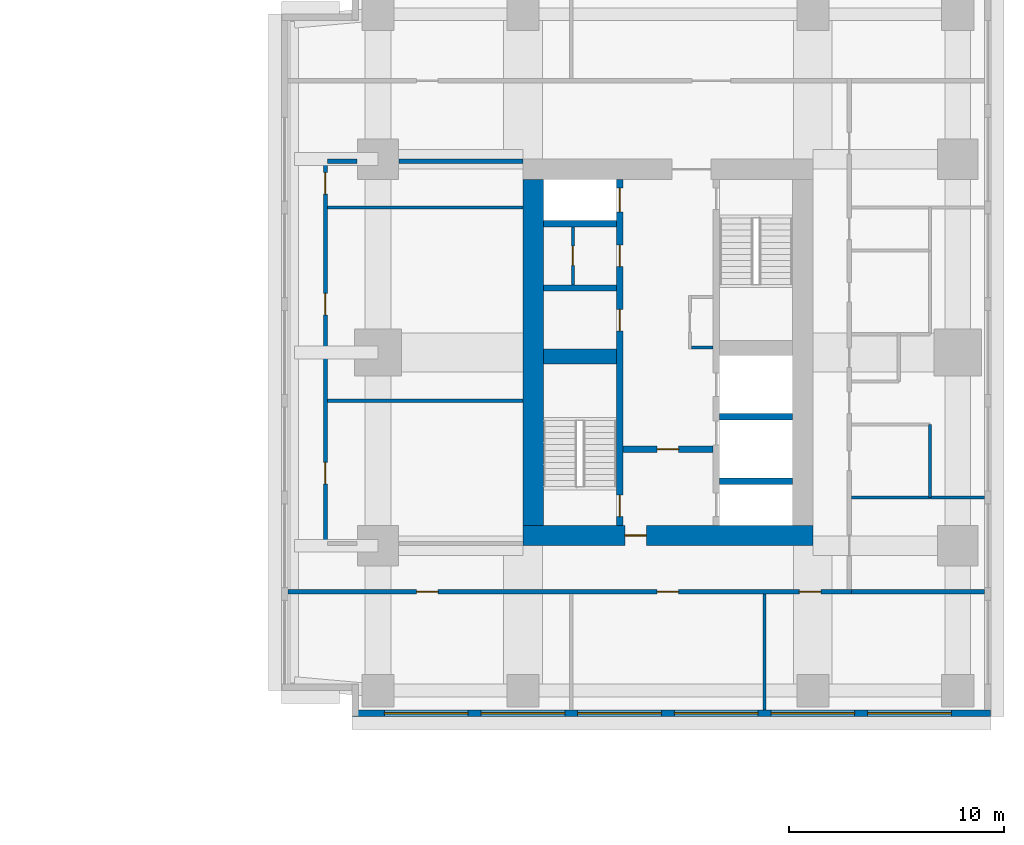
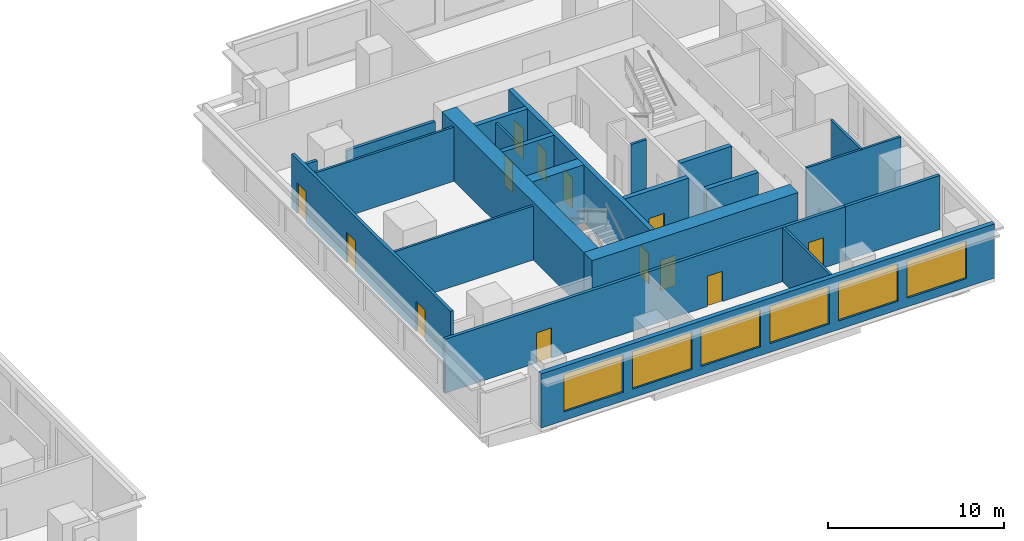
# One storey, part 6 of 10: 22 walls, 13 doors, 6 windows, 19 openings.
"""IFC4 building model written with IfcOpenShell, lengths in metres."""

import ifcopenshell
import ifcopenshell.guid

model = None  # the IFC model being written
_history = None  # IfcOwnerHistory: only IFC2X3 demands one
_inside = {}  # id of a spatial element -> (the spatial element, [elements in it])
_under = {}  # id of a project, library or spatial element -> (it, [spatial elements below it])
_declared = {}  # id of a project -> (the project, [libraries it declares])
_typed = {}  # id of a type object -> (the type object, [elements of that type])
_made_of = {}  # id of a material, layer set ... -> (it, [elements and type objects made of it])


def new_model(schema):
    """Start an empty IFC model of exactly this schema.

    Asked for "IFC4X3", IfcOpenShell would pick the latest addendum, in which some entities
    have other attributes; the version numbers below select the first issue.
    IFC2X3 requires an IfcOwnerHistory on every rooted entity: one is made here for all.
    """
    global model, _history
    if schema == "IFC4X3":
        model = ifcopenshell.file(schema_version=(4, 3, 0, 0))
    else:
        model = ifcopenshell.file(schema=schema)
    _inside.clear()
    _under.clear()
    _declared.clear()
    _typed.clear()
    _made_of.clear()
    _history = None
    if model.schema == "IFC2X3":
        org = make("IfcOrganization", Name="unknown")
        user = make(
            "IfcPersonAndOrganization",
            ThePerson=make("IfcPerson", FamilyName="unknown"),
            TheOrganization=org,
        )
        app = make(
            "IfcApplication",
            ApplicationDeveloper=org,
            Version="unknown",
            ApplicationFullName="unknown",
            ApplicationIdentifier="unknown",
        )
        _history = make(
            "IfcOwnerHistory",
            OwningUser=user,
            OwningApplication=app,
            ChangeAction="ADDED",
            CreationDate=0,
        )
    return model


def make(cls, **values):
    """One entity of the class cls with the attributes given. An attribute that is None is left unset."""
    return model.create_entity(
        cls, **{name: value for name, value in values.items() if value is not None}
    )


def rooted(cls, **values):
    """An entity with a GlobalId (a new one), such as an element, a storey or a relation."""
    return make(cls, GlobalId=ifcopenshell.guid.new(), OwnerHistory=_history, **values)


def si_unit(unit_type, name, prefix=None):
    """IfcSIUnit, for example si_unit("LENGTHUNIT", "METRE", prefix="MILLI")."""
    return make("IfcSIUnit", UnitType=unit_type, Prefix=prefix, Name=name)


def assignment(units):
    """IfcUnitAssignment: the units of a project."""
    return None if units is None else make("IfcUnitAssignment", Units=units)


def point(xyz):
    """IfcCartesianPoint."""
    return None if xyz is None else make("IfcCartesianPoint", Coordinates=xyz)


def direction(xyz):
    """IfcDirection."""
    return None if xyz is None else make("IfcDirection", DirectionRatios=xyz)


def frame(location, z_axis=None, x_axis=None):
    """IfcAxis2Placement3D, a coordinate frame: its origin and axes. An axis left out is left unset."""
    return make(
        "IfcAxis2Placement3D",
        Location=point(location),
        Axis=direction(z_axis),
        RefDirection=direction(x_axis),
    )


def frame_2d(location, x_axis=None):
    """IfcAxis2Placement2D, a coordinate frame in the plane: its origin and x axis."""
    return make(
        "IfcAxis2Placement2D", Location=point(location), RefDirection=direction(x_axis)
    )


def origin():
    """The frame at (0, 0, 0) with its axes left unset."""
    return frame((0.0, 0.0, 0.0))


def place(relative_to, where):
    """IfcLocalPlacement: puts the frame where relative to a parent placement (None: the world)."""
    return make(
        "IfcLocalPlacement", PlacementRelTo=relative_to, RelativePlacement=where
    )


def context(
    kind, dimensions, precision=None, world=None, true_north=None, identifier=None
):
    """IfcGeometricRepresentationContext, for example the 3D "Model" context."""
    return make(
        "IfcGeometricRepresentationContext",
        ContextIdentifier=identifier,
        ContextType=kind,
        CoordinateSpaceDimension=dimensions,
        Precision=precision,
        WorldCoordinateSystem=world,
        TrueNorth=true_north,
    )


def subcontext(parent, identifier, kind, view, scale=None):
    """IfcGeometricRepresentationSubContext, for example "Body" below "Model"."""
    return make(
        "IfcGeometricRepresentationSubContext",
        ContextIdentifier=identifier,
        ContextType=kind,
        ParentContext=parent,
        TargetScale=scale,
        TargetView=view,
    )


def project(units=None, contexts=None):
    """IfcProject with its units and contexts."""
    return rooted(
        "IfcProject",
        Name="project",
        RepresentationContexts=contexts,
        UnitsInContext=assignment(units),
    )


def spatial(cls, under=None, at=None, **own):
    """A site, building, storey or space (cls), placed at a placement, below another one or the project."""
    s = rooted(cls, ObjectPlacement=at, **own)
    if under is not None:
        _under.setdefault(under.id(), (under, []))[1].append(s)
    return s


def profile(cls, at=None, kind="AREA", **sizes):
    """A parametric profile (cls). Its sizes go by their IFC names, for example OverallWidth=200.0."""
    return make(cls, ProfileType=kind, Position=at, **sizes)


def rectangle(**sizes):
    """IfcRectangleProfileDef."""
    return profile("IfcRectangleProfileDef", **sizes)


def extrude(swept, where, along, depth):
    """IfcExtrudedAreaSolid: the profile swept, set in the frame where, extruded along a direction by depth."""
    return make(
        "IfcExtrudedAreaSolid",
        SweptArea=swept,
        Position=where,
        ExtrudedDirection=direction(along),
        Depth=depth,
    )


def shape(context_of_items, identifier, shape_type, items):
    """IfcShapeRepresentation: the items that make up one representation, for example the "Body"."""
    return make(
        "IfcShapeRepresentation",
        ContextOfItems=context_of_items,
        RepresentationIdentifier=identifier,
        RepresentationType=shape_type,
        Items=items,
    )


def material(Name=None, Category=None):
    """IfcMaterial."""
    return make("IfcMaterial", Name=Name, Category=Category)


def layer(
    of_material, thickness, ventilated=None, Name=None, Category=None, Priority=None
):
    """IfcMaterialLayer: one layer of a wall or slab, of a material (None: an air gap)."""
    return make(
        "IfcMaterialLayer",
        Material=of_material,
        LayerThickness=thickness,
        IsVentilated=ventilated,
        Name=Name,
        Category=Category,
        Priority=Priority,
    )


def layer_set(layers, Name=None):
    """IfcMaterialLayerSet."""
    return make("IfcMaterialLayerSet", MaterialLayers=layers, LayerSetName=Name)


def made_of(thing, what):
    """Note that an element or type object is made of a material, layer set ...; save() writes the relation."""
    if what is not None:
        _made_of.setdefault(what.id(), (what, []))[1].append(thing)
    return thing


def type_object(cls, material=None, **own):
    """A type object (cls), such as IfcWallType, which elements share."""
    return made_of(rooted(cls, **own), material)


def element(
    cls,
    number,
    at=None,
    inside=None,
    cuts=None,
    type_object=None,
    material=None,
    context=None,
    identifier="Body",
    shape_type=None,
    held_by="IfcProductDefinitionShape",
    body=None,
    shapes=None,
    **own,
):
    """One element of the class cls, such as IfcWall. Its Tag is "e" and its number.

    at: its placement. inside: the storey or other place that contains it. cuts: it is an
    opening in that element (IfcRelVoidsElement). A single representation is given by context,
    identifier, shape_type and body (its items); several are given by shapes. held_by: the class
    of the entity that holds the representations. save() writes the other relations.
    """
    e = rooted(cls, Tag="e%d" % number, ObjectPlacement=at, **own)
    if body is not None:
        shapes = [shape(context, identifier, shape_type, body)]
    if shapes is not None:
        e.Representation = make(held_by, Representations=shapes)
    if inside is not None:
        _inside.setdefault(inside.id(), (inside, []))[1].append(e)
    if cuts is not None:
        rooted(
            "IfcRelVoidsElement", RelatingBuildingElement=cuts, RelatedOpeningElement=e
        )
    if type_object is not None:
        _typed.setdefault(type_object.id(), (type_object, []))[1].append(e)
    return made_of(e, material)


def fill(opening, filler):
    """IfcRelFillsElement: the door or window that sits in an opening."""
    return rooted(
        "IfcRelFillsElement",
        RelatingOpeningElement=opening,
        RelatedBuildingElement=filler,
    )


def aggregate(whole, parts):
    """IfcRelAggregates: a whole, such as a stair, and the parts it consists of."""
    return rooted("IfcRelAggregates", RelatingObject=whole, RelatedObjects=parts)


def save(model, path):
    """Write the relations noted so far, then the file.

    IfcRelAggregates (storeys below a building ...), IfcRelContainedInSpatialStructure (elements
    in a storey), IfcRelDefinesByType, IfcRelAssociatesMaterial and IfcRelDeclares: one each for
    every whole, place, type object, material and project.
    """
    for whole, parts in _under.values():
        aggregate(whole, parts)
    for where, things in _inside.values():
        rooted(
            "IfcRelContainedInSpatialStructure",
            RelatedElements=things,
            RelatingStructure=where,
        )
    for kind, things in _typed.values():
        rooted("IfcRelDefinesByType", RelatedObjects=things, RelatingType=kind)
    for what, things in _made_of.values():
        rooted("IfcRelAssociatesMaterial", RelatedObjects=things, RelatingMaterial=what)
    for by, libraries in _declared.values():
        rooted("IfcRelDeclares", RelatingContext=by, RelatedDefinitions=libraries)
    model.write(path)


model = new_model("IFC4")

# Units and contexts
model_context = context("Model", 3, precision=1e-05, world=origin(), true_north=direction((0.0, 1.0)))
body_context = subcontext(model_context, "Body", "Model", "MODEL_VIEW")
ifc_project = project(units=[si_unit("LENGTHUNIT", "METRE"), si_unit("AREAUNIT", "SQUARE_METRE"), si_unit("VOLUMEUNIT", "CUBIC_METRE"), si_unit("PLANEANGLEUNIT", "RADIAN"), si_unit("MASSUNIT", "GRAM", prefix="KILO")], contexts=[model_context])

# Site, building, storey
site_placement = place(None, origin())
site = spatial("IfcSite", under=ifc_project, at=site_placement, CompositionType="ELEMENT")
building_placement = place(site_placement, origin())
building = spatial("IfcBuilding", under=site, at=building_placement, Name="Namib Vertical Campus", CompositionType="ELEMENT")
storey_placement = place(building_placement, frame((0.0, 0.0, 145.0)))
storey = spatial("IfcBuildingStorey", under=building, at=storey_placement, Name="L34", CompositionType="ELEMENT", Elevation=145.0)

# Wall, openings, doors
ifc_material_1 = material(Name="Concrete C60/75", Category="concrete")
ifc_layer_1 = layer(ifc_material_1, 0.300048828125)
ifc_layer_set_1 = layer_set([ifc_layer_1], Name="Concrete C60/75")
wall_type_1 = type_object("IfcWallType", Name="Core inner wall 300", PredefinedType="SHEAR", material=ifc_layer_set_1)
wall_1_placement = place(storey_placement, frame((78.75, 12.199951171875, 0.0), z_axis=(0.0, 0.0, 1.0), x_axis=(0.0, 1.0, 0.0)))
wall_1 = element("IfcWall", 1, at=wall_1_placement, inside=storey, type_object=wall_type_1, Name="Core inner wall B L34 W1", PredefinedType="SHEAR", context=body_context, shape_type="SweptSolid", body=[
    extrude(rectangle(XDim=16.10009765625, YDim=0.300048828125, at=frame_2d((8.050048828125, 0.0))), origin(), (0.0, 0.0, 1.0), 4.0),
])
opening_1_placement = place(wall_1_placement, frame((0.39990234375, 0.0, 0.0)))
opening_1 = element("IfcOpeningElement", 2, at=opening_1_placement, cuts=wall_1, Name="Opening FD1", PredefinedType="OPENING", context=body_context, shape_type="SweptSolid", body=[
    extrude(rectangle(XDim=1.0, YDim=2.10009765625, at=frame_2d((0.5, 1.050048828125))), frame((0.0, 0.159912109375, 0.0), z_axis=(0.0, -1.0, 0.0), x_axis=(1.0, 0.0, 0.0)), (0.0, 0.0, 1.0), 0.320068359375),
])
opening_2_placement = place(wall_1_placement, frame((14.60009765625, 0.0, 0.0)))
opening_2 = element("IfcOpeningElement", 3, at=opening_2_placement, cuts=wall_1, Name="Opening LD1", PredefinedType="OPENING", context=body_context, shape_type="SweptSolid", body=[
    extrude(rectangle(XDim=1.10009765625, YDim=2.10009765625, at=frame_2d((0.550048828125, 1.050048828125))), frame((0.0, 0.159912109375, 0.0), z_axis=(0.0, -1.0, 0.0), x_axis=(1.0, 0.0, 0.0)), (0.0, 0.0, 1.0), 0.320068359375),
])
opening_3_placement = place(wall_1_placement, frame((9.050048828125, 0.0, 0.0)))
opening_3 = element("IfcOpeningElement", 4, at=opening_3_placement, cuts=wall_1, Name="Opening D1", PredefinedType="OPENING", context=body_context, shape_type="SweptSolid", body=[
    extrude(rectangle(XDim=1.0, YDim=2.10009765625, at=frame_2d((0.5, 1.050048828125))), frame((0.0, 0.159912109375, 0.0), z_axis=(0.0, -1.0, 0.0), x_axis=(1.0, 0.0, 0.0)), (0.0, 0.0, 1.0), 0.320068359375),
])
opening_4_placement = place(wall_1_placement, frame((12.050048828125, 0.0, 0.0)))
opening_4 = element("IfcOpeningElement", 5, at=opening_4_placement, cuts=wall_1, Name="Opening D1", PredefinedType="OPENING", context=body_context, shape_type="SweptSolid", body=[
    extrude(rectangle(XDim=1.0, YDim=2.10009765625, at=frame_2d((0.5, 1.050048828125))), frame((0.0, 0.159912109375, 0.0), z_axis=(0.0, -1.0, 0.0), x_axis=(1.0, 0.0, 0.0)), (0.0, 0.0, 1.0), 0.320068359375),
])
ifc_material_2 = material(Name="Timber door leaf", Category="wood")
door_type_1 = type_object("IfcDoorType", Name="Door single 1000x2100", OperationType="SINGLE_SWING_LEFT", PredefinedType="DOOR", material=ifc_material_2)
door_1_placement = place(opening_3_placement, origin())
door_1 = element("IfcDoor", 6, at=door_1_placement, inside=storey, type_object=door_type_1, Name="Door D1 Comms room B L34 P1", OperationType="SINGLE_SWING_LEFT", OverallHeight=2.10009765625, OverallWidth=1.0, PredefinedType="DOOR", context=body_context, shape_type="SweptSolid", body=[
    extrude(rectangle(XDim=1.0, YDim=2.10009765625, at=frame_2d((0.5, 1.050048828125))), frame((0.0, 0.02490234375, 0.0), z_axis=(0.0, -1.0, 0.0), x_axis=(1.0, 0.0, 0.0)), (0.0, 0.0, 1.0), 0.050048828125),
])
fill(opening_3, door_1)
door_2_placement = place(opening_4_placement, origin())
door_2 = element("IfcDoor", 7, at=door_2_placement, inside=storey, type_object=door_type_1, Name="Door D1 Store B L34 P2", OperationType="SINGLE_SWING_LEFT", OverallHeight=2.10009765625, OverallWidth=1.0, PredefinedType="DOOR", context=body_context, shape_type="SweptSolid", body=[
    extrude(rectangle(XDim=1.0, YDim=2.10009765625, at=frame_2d((0.5, 1.050048828125))), frame((0.0, 0.02490234375, 0.0), z_axis=(0.0, -1.0, 0.0), x_axis=(1.0, 0.0, 0.0)), (0.0, 0.0, 1.0), 0.050048828125),
])
fill(opening_4, door_2)
ifc_material_3 = material(Name="Steel fire door", Category="steel")
door_type_2 = type_object("IfcDoorType", Name="Fire door 1000x2100", OperationType="SINGLE_SWING_RIGHT", PredefinedType="DOOR", material=ifc_material_3)
door_3_placement = place(opening_1_placement, origin())
door_3 = element("IfcDoor", 8, at=door_3_placement, inside=storey, type_object=door_type_2, Name="Stair door FD1 B L34 S1", OperationType="SINGLE_SWING_LEFT", OverallHeight=2.10009765625, OverallWidth=1.0, PredefinedType="DOOR", context=body_context, shape_type="SweptSolid", body=[
    extrude(rectangle(XDim=1.0, YDim=2.10009765625, at=frame_2d((0.5, 1.050048828125))), frame((0.0, 0.02490234375, 0.0), z_axis=(0.0, -1.0, 0.0), x_axis=(1.0, 0.0, 0.0)), (0.0, 0.0, 1.0), 0.050048828125),
])
fill(opening_1, door_3)
ifc_material_4 = material(Name="Stainless steel lift door", Category="steel")
door_type_3 = type_object("IfcDoorType", Name="Lift landing door 1100x2100", OperationType="DOUBLE_DOOR_SLIDING", PredefinedType="DOOR", material=ifc_material_4)
door_4_placement = place(opening_2_placement, origin())
door_4 = element("IfcDoor", 9, at=door_4_placement, inside=storey, type_object=door_type_3, Name="Lift landing door LD1 B-P3 L34", OperationType="DOUBLE_DOOR_SLIDING", OverallHeight=2.10009765625, OverallWidth=1.10009765625, PredefinedType="DOOR", context=body_context, shape_type="SweptSolid", body=[
    extrude(rectangle(XDim=1.10009765625, YDim=2.10009765625, at=frame_2d((0.550048828125, 1.050048828125))), frame((0.0, 0.02490234375, 0.0), z_axis=(0.0, -1.0, 0.0), x_axis=(1.0, 0.0, 0.0)), (0.0, 0.0, 1.0), 0.050048828125),
])
fill(opening_2, door_4)

# Wall, opening, door
wall_2_placement = place(storey_placement, frame((78.89990234375, 15.75, 0.0), z_axis=(0.0, 0.0, 1.0), x_axis=(1.0, 0.0, 0.0)))
wall_2 = element("IfcWall", 10, at=wall_2_placement, inside=storey, type_object=wall_type_1, Name="Core inner wall B L34 W4", PredefinedType="SHEAR", context=body_context, shape_type="SweptSolid", body=[
    extrude(rectangle(XDim=4.2001953125, YDim=0.300048828125, at=frame_2d((2.10009765625, 0.0))), origin(), (0.0, 0.0, 1.0), 4.0),
])
opening_5_placement = place(wall_2_placement, frame((1.60009765625, 0.0, 0.0)))
opening_5 = element("IfcOpeningElement", 11, at=opening_5_placement, cuts=wall_2, Name="Opening FD5", PredefinedType="OPENING", context=body_context, shape_type="SweptSolid", body=[
    extrude(rectangle(XDim=1.0, YDim=2.10009765625, at=frame_2d((0.5, 1.050048828125))), frame((0.0, 0.159912109375, 0.0), z_axis=(0.0, -1.0, 0.0), x_axis=(1.0, 0.0, 0.0)), (0.0, 0.0, 1.0), 0.320068359375),
])
ifc_material_5 = material(Name="Steel fire door", Category="steel")
door_type_4 = type_object("IfcDoorType", Name="Fire door 1000x2100 120 min", OperationType="SINGLE_SWING_RIGHT", PredefinedType="DOOR", material=ifc_material_5)
door_5_placement = place(opening_5_placement, frame((1.0, 0.0, 0.0), z_axis=(0.0, 0.0, 1.0), x_axis=(-1.0, 0.0, 0.0)))
door_5 = element("IfcDoor", 12, at=door_5_placement, inside=storey, type_object=door_type_4, Name="Lobby door FD5 B L34", OperationType="SINGLE_SWING_RIGHT", OverallHeight=2.10009765625, OverallWidth=1.0, PredefinedType="DOOR", context=body_context, shape_type="SweptSolid", body=[
    extrude(rectangle(XDim=1.0, YDim=2.10009765625, at=frame_2d((0.5, 1.050048828125))), frame((0.0, 0.02490234375, 0.0), z_axis=(0.0, -1.0, 0.0), x_axis=(1.0, 0.0, 0.0)), (0.0, 0.0, 1.0), 0.050048828125),
])
fill(opening_5, door_5)

# Walls
for number, where, z_axis, x_axis, name in (
    (13, (83.39990234375, 14.25, 0.0), (0.0, 0.0, 1.0), (1.0, 0.0, 0.0), "Core inner wall B L34 W5"),
    (14, (83.39990234375, 17.25, 0.0), (0.0, 0.0, 1.0), (1.0, 0.0, 0.0), "Core inner wall B L34 W6"),
    (15, (75.199951171875, 23.25, 0.0), (0.0, 0.0, 1.0), (1.0, 0.0, 0.0), "Core inner wall B L34 W8"),
    (16, (75.199951171875, 26.25, 0.0), (0.0, 0.0, 1.0), (1.0, 0.0, 0.0), "Core inner wall B L34 W9"),
):
    element("IfcWall", number, at=place(storey_placement, frame(where, z_axis=z_axis, x_axis=x_axis)), inside=storey, type_object=wall_type_1, Name=name, PredefinedType="SHEAR", context=body_context, shape_type="SweptSolid", body=[
        extrude(rectangle(XDim=3.400146484375, YDim=0.300048828125, at=frame_2d((1.7001953125, 0.0))), origin(), (0.0, 0.0, 1.0), 4.0),
    ])
ifc_material_6 = material(Name="Concrete C60/75", Category="concrete")
ifc_layer_2 = layer(ifc_material_6, 0.699951171875)
ifc_layer_set_2 = layer_set([ifc_layer_2], Name="Concrete C60/75")
wall_type_2 = type_object("IfcWallType", Name="Core shear wall 700", PredefinedType="SHEAR", material=ifc_layer_set_2)
wall_3_placement = place(storey_placement, frame((75.199951171875, 20.050048828125, 0.0), z_axis=(0.0, 0.0, 1.0), x_axis=(1.0, 0.0, 0.0)))
element("IfcWall", 17, at=wall_3_placement, inside=storey, type_object=wall_type_2, Name="Core shear wall B L34 W3", PredefinedType="SHEAR", context=body_context, shape_type="SweptSolid", body=[
    extrude(rectangle(XDim=3.400146484375, YDim=0.699951171875, at=frame_2d((1.7001953125, 0.0))), origin(), (0.0, 0.0, 1.0), 4.0),
])

# Wall, opening, door
ifc_material_7 = material(Name="Concrete C60/75", Category="concrete")
ifc_layer_3 = layer(ifc_material_7, 0.949951171875)
ifc_layer_set_3 = layer_set([ifc_layer_3], Name="Concrete C60/75")
wall_type_3 = type_object("IfcWallType", Name="Core wall 950", PredefinedType="SHEAR", material=ifc_layer_set_3)
wall_4_placement = place(storey_placement, frame((74.25, 11.72509765625, 0.0), z_axis=(0.0, 0.0, 1.0), x_axis=(1.0, 0.0, 0.0)))
wall_4 = element("IfcWall", 18, at=wall_4_placement, inside=storey, type_object=wall_type_3, Name="Core wall B L34 1", PredefinedType="SHEAR", context=body_context, shape_type="SweptSolid", body=[
    extrude(rectangle(XDim=13.5, YDim=0.949951171875, at=frame_2d((6.75, 0.0))), origin(), (0.0, 0.0, 1.0), 4.0),
])
opening_6_placement = place(wall_4_placement, frame((4.75, 0.0, 0.0)))
opening_6 = element("IfcOpeningElement", 19, at=opening_6_placement, cuts=wall_4, Name="Opening FD5", PredefinedType="OPENING", context=body_context, shape_type="SweptSolid", body=[
    extrude(rectangle(XDim=1.0, YDim=2.10009765625, at=frame_2d((0.5, 1.050048828125))), frame((0.0, 0.48486328125, 0.0), z_axis=(0.0, -1.0, 0.0), x_axis=(1.0, 0.0, 0.0)), (0.0, 0.0, 1.0), 0.969970703125),
])
door_6_placement = place(opening_6_placement, origin())
door_6 = element("IfcDoor", 20, at=door_6_placement, inside=storey, type_object=door_type_4, Name="Firefighting lobby door FD5 B L34", OperationType="SINGLE_SWING_LEFT", OverallHeight=2.10009765625, OverallWidth=1.0, PredefinedType="DOOR", context=body_context, shape_type="SweptSolid", body=[
    extrude(rectangle(XDim=1.0, YDim=2.10009765625, at=frame_2d((0.5, 1.050048828125))), frame((0.0, 0.02490234375, 0.0), z_axis=(0.0, -1.0, 0.0), x_axis=(1.0, 0.0, 0.0)), (0.0, 0.0, 1.0), 0.050048828125),
])
fill(opening_6, door_6)

# Wall
wall_5_placement = place(storey_placement, frame((74.72509765625, 28.300048828125, 0.0), z_axis=(0.0, 0.0, 1.0), x_axis=(0.0, -1.0, 0.0)))
element("IfcWall", 21, at=wall_5_placement, inside=storey, type_object=wall_type_3, Name="Core wall B L34 4", PredefinedType="SHEAR", context=body_context, shape_type="SweptSolid", body=[
    extrude(rectangle(XDim=16.10009765625, YDim=0.949951171875, at=frame_2d((8.050048828125, 0.0))), origin(), (0.0, 0.0, 1.0), 4.0),
])

# Wall, openings, doors
ifc_material_8 = material(Name="Concrete masonry", Category="masonry")
ifc_layer_4 = layer(ifc_material_8, 0.199951171875)
ifc_layer_set_4 = layer_set([ifc_layer_4], Name="Corridor wall 200")
wall_type_4 = type_object("IfcWallType", Name="Corridor wall 200", PredefinedType="SOLIDWALL", material=ifc_layer_set_4)
wall_6_placement = place(storey_placement, frame((63.300048828125, 9.10009765625, 0.0), z_axis=(0.0, 0.0, 1.0), x_axis=(1.0, 0.0, 0.0)))
wall_6 = element("IfcWall", 22, at=wall_6_placement, inside=storey, type_object=wall_type_4, Name="Corridor wall B L34 CS", PredefinedType="SOLIDWALL", context=body_context, shape_type="SweptSolid", body=[
    extrude(rectangle(XDim=26.25, YDim=0.199951171875, at=frame_2d((13.125, 0.0))), origin(), (0.0, 0.0, 1.0), 3.75),
])
opening_7_placement = place(wall_6_placement, frame((6.0, 0.0, 0.0)))
opening_7 = element("IfcOpeningElement", 23, at=opening_7_placement, cuts=wall_6, Name="Opening CD1", PredefinedType="OPENING", context=body_context, shape_type="SweptSolid", body=[
    extrude(rectangle(XDim=1.0, YDim=2.10009765625, at=frame_2d((0.5, 1.050048828125))), frame((0.0, 0.10986328125, 0.0), z_axis=(0.0, -1.0, 0.0), x_axis=(1.0, 0.0, 0.0)), (0.0, 0.0, 1.0), 0.219970703125),
])
opening_8_placement = place(wall_6_placement, frame((17.199951171875, 0.0, 0.0)))
opening_8 = element("IfcOpeningElement", 24, at=opening_8_placement, cuts=wall_6, Name="Opening CD1", PredefinedType="OPENING", context=body_context, shape_type="SweptSolid", body=[
    extrude(rectangle(XDim=1.0, YDim=2.10009765625, at=frame_2d((0.5, 1.050048828125))), frame((0.0, 0.10986328125, 0.0), z_axis=(0.0, -1.0, 0.0), x_axis=(1.0, 0.0, 0.0)), (0.0, 0.0, 1.0), 0.219970703125),
])
opening_9_placement = place(wall_6_placement, frame((23.824951171875, 0.0, 0.0)))
opening_9 = element("IfcOpeningElement", 25, at=opening_9_placement, cuts=wall_6, Name="Opening CD1", PredefinedType="OPENING", context=body_context, shape_type="SweptSolid", body=[
    extrude(rectangle(XDim=1.0, YDim=2.10009765625, at=frame_2d((0.5, 1.050048828125))), frame((0.0, 0.10986328125, 0.0), z_axis=(0.0, -1.0, 0.0), x_axis=(1.0, 0.0, 0.0)), (0.0, 0.0, 1.0), 0.219970703125),
])
ifc_material_9 = material(Name="Timber fire door leaf", Category="wood")
door_type_5 = type_object("IfcDoorType", Name="Corridor door 1000x2100 20 min", OperationType="SINGLE_SWING_LEFT", PredefinedType="DOOR", material=ifc_material_9)
door_7_placement = place(opening_7_placement, frame((1.0, 0.0, 0.0), z_axis=(0.0, 0.0, 1.0), x_axis=(-1.0, 0.0, 0.0)))
door_7 = element("IfcDoor", 26, at=door_7_placement, inside=storey, type_object=door_type_5, Name="Door CD1 B34-01", OperationType="SINGLE_SWING_LEFT", OverallHeight=2.10009765625, OverallWidth=1.0, PredefinedType="DOOR", context=body_context, shape_type="SweptSolid", body=[
    extrude(rectangle(XDim=1.0, YDim=2.10009765625, at=frame_2d((0.5, 1.050048828125))), frame((0.0, 0.02490234375, 0.0), z_axis=(0.0, -1.0, 0.0), x_axis=(1.0, 0.0, 0.0)), (0.0, 0.0, 1.0), 0.050048828125),
])
fill(opening_7, door_7)
door_8_placement = place(opening_8_placement, frame((1.0, 0.0, 0.0), z_axis=(0.0, 0.0, 1.0), x_axis=(-1.0, 0.0, 0.0)))
door_8 = element("IfcDoor", 27, at=door_8_placement, inside=storey, type_object=door_type_5, Name="Door CD1 B34-02", OperationType="SINGLE_SWING_RIGHT", OverallHeight=2.10009765625, OverallWidth=1.0, PredefinedType="DOOR", context=body_context, shape_type="SweptSolid", body=[
    extrude(rectangle(XDim=1.0, YDim=2.10009765625, at=frame_2d((0.5, 1.050048828125))), frame((0.0, 0.02490234375, 0.0), z_axis=(0.0, -1.0, 0.0), x_axis=(1.0, 0.0, 0.0)), (0.0, 0.0, 1.0), 0.050048828125),
])
fill(opening_8, door_8)
door_9_placement = place(opening_9_placement, frame((1.0, 0.0, 0.0), z_axis=(0.0, 0.0, 1.0), x_axis=(-1.0, 0.0, 0.0)))
door_9 = element("IfcDoor", 28, at=door_9_placement, inside=storey, type_object=door_type_5, Name="Door CD1 B34-03", OperationType="SINGLE_SWING_RIGHT", OverallHeight=2.10009765625, OverallWidth=1.0, PredefinedType="DOOR", context=body_context, shape_type="SweptSolid", body=[
    extrude(rectangle(XDim=1.0, YDim=2.10009765625, at=frame_2d((0.5, 1.050048828125))), frame((0.0, 0.02490234375, 0.0), z_axis=(0.0, -1.0, 0.0), x_axis=(1.0, 0.0, 0.0)), (0.0, 0.0, 1.0), 0.050048828125),
])
fill(opening_9, door_9)

wall_7_placement = place(storey_placement, frame((65.050048828125, 29.25, 0.0), z_axis=(0.0, 0.0, 1.0), x_axis=(0.0, -1.0, 0.0)))
wall_7 = element("IfcWall", 29, at=wall_7_placement, inside=storey, type_object=wall_type_4, Name="Corridor wall B L34 CG", PredefinedType="SOLIDWALL", context=body_context, shape_type="SweptSolid", body=[
    extrude(rectangle(XDim=18.0, YDim=0.199951171875, at=frame_2d((9.0, 0.0))), origin(), (0.0, 0.0, 1.0), 3.75),
])
opening_10_placement = place(wall_7_placement, frame((14.125, 0.0, 0.0)))
opening_10 = element("IfcOpeningElement", 30, at=opening_10_placement, cuts=wall_7, Name="Opening CD1", PredefinedType="OPENING", context=body_context, shape_type="SweptSolid", body=[
    extrude(rectangle(XDim=1.0, YDim=2.10009765625, at=frame_2d((0.5, 1.050048828125))), frame((0.0, 0.10986328125, 0.0), z_axis=(0.0, -1.0, 0.0), x_axis=(1.0, 0.0, 0.0)), (0.0, 0.0, 1.0), 0.219970703125),
])
opening_11_placement = place(wall_7_placement, frame((6.25, 0.0, 0.0)))
opening_11 = element("IfcOpeningElement", 31, at=opening_11_placement, cuts=wall_7, Name="Opening CD1", PredefinedType="OPENING", context=body_context, shape_type="SweptSolid", body=[
    extrude(rectangle(XDim=1.0, YDim=2.10009765625, at=frame_2d((0.5, 1.050048828125))), frame((0.0, 0.10986328125, 0.0), z_axis=(0.0, -1.0, 0.0), x_axis=(1.0, 0.0, 0.0)), (0.0, 0.0, 1.0), 0.219970703125),
])
opening_12_placement = place(wall_7_placement, frame((0.625, 0.0, 0.0)))
opening_12 = element("IfcOpeningElement", 32, at=opening_12_placement, cuts=wall_7, Name="Opening CD1", PredefinedType="OPENING", context=body_context, shape_type="SweptSolid", body=[
    extrude(rectangle(XDim=1.0, YDim=2.10009765625, at=frame_2d((0.5, 1.050048828125))), frame((0.0, 0.10986328125, 0.0), z_axis=(0.0, -1.0, 0.0), x_axis=(1.0, 0.0, 0.0)), (0.0, 0.0, 1.0), 0.219970703125),
])
door_10_placement = place(opening_10_placement, origin())
door_10 = element("IfcDoor", 33, at=door_10_placement, inside=storey, type_object=door_type_5, Name="Door CD1 B34-13", OperationType="SINGLE_SWING_LEFT", OverallHeight=2.10009765625, OverallWidth=1.0, PredefinedType="DOOR", context=body_context, shape_type="SweptSolid", body=[
    extrude(rectangle(XDim=1.0, YDim=2.10009765625, at=frame_2d((0.5, 1.050048828125))), frame((0.0, 0.02490234375, 0.0), z_axis=(0.0, -1.0, 0.0), x_axis=(1.0, 0.0, 0.0)), (0.0, 0.0, 1.0), 0.050048828125),
])
fill(opening_10, door_10)
door_11_placement = place(opening_11_placement, origin())
door_11 = element("IfcDoor", 34, at=door_11_placement, inside=storey, type_object=door_type_5, Name="Door CD1 B34-14", OperationType="SINGLE_SWING_LEFT", OverallHeight=2.10009765625, OverallWidth=1.0, PredefinedType="DOOR", context=body_context, shape_type="SweptSolid", body=[
    extrude(rectangle(XDim=1.0, YDim=2.10009765625, at=frame_2d((0.5, 1.050048828125))), frame((0.0, 0.02490234375, 0.0), z_axis=(0.0, -1.0, 0.0), x_axis=(1.0, 0.0, 0.0)), (0.0, 0.0, 1.0), 0.050048828125),
])
fill(opening_11, door_11)
door_12_placement = place(opening_12_placement, origin())
door_12 = element("IfcDoor", 35, at=door_12_placement, inside=storey, type_object=door_type_5, Name="Door CD1 B34-15", OperationType="SINGLE_SWING_LEFT", OverallHeight=2.10009765625, OverallWidth=1.0, PredefinedType="DOOR", context=body_context, shape_type="SweptSolid", body=[
    extrude(rectangle(XDim=1.0, YDim=2.10009765625, at=frame_2d((0.5, 1.050048828125))), frame((0.0, 0.02490234375, 0.0), z_axis=(0.0, -1.0, 0.0), x_axis=(1.0, 0.0, 0.0)), (0.0, 0.0, 1.0), 0.050048828125),
])
fill(opening_12, door_12)

# Walls
wall_8_placement = place(storey_placement, frame((65.14990234375, 29.14990234375, 0.0), z_axis=(0.0, 0.0, 1.0), x_axis=(1.0, 0.0, 0.0)))
element("IfcWall", 36, at=wall_8_placement, inside=storey, type_object=wall_type_4, Name="Corridor wall B L34 GN", PredefinedType="SOLIDWALL", context=body_context, shape_type="SweptSolid", body=[
    extrude(rectangle(XDim=1.380126953125, YDim=0.199951171875, at=frame_2d((0.68994140625, 0.0))), origin(), (0.0, 0.0, 1.0), 2.85009765625),
])
wall_9_placement = place(storey_placement, frame((68.469970703125, 29.14990234375, 0.0), z_axis=(0.0, 0.0, 1.0), x_axis=(1.0, 0.0, 0.0)))
element("IfcWall", 37, at=wall_9_placement, inside=storey, type_object=wall_type_4, Name="Corridor wall B L34 GN", PredefinedType="SOLIDWALL", context=body_context, shape_type="SweptSolid", body=[
    extrude(rectangle(XDim=5.780029296875, YDim=0.199951171875, at=frame_2d((2.89013671875, 0.0))), origin(), (0.0, 0.0, 1.0), 2.85009765625),
])
wall_10_placement = place(storey_placement, frame((89.550048828125, 9.10009765625, 0.0), z_axis=(0.0, 0.0, 1.0), x_axis=(1.0, 0.0, 0.0)))
element("IfcWall", 38, at=wall_10_placement, inside=storey, type_object=wall_type_4, Name="Partition B L34 BSE", PredefinedType="SOLIDWALL", context=body_context, shape_type="SweptSolid", body=[
    extrude(rectangle(XDim=6.199951171875, YDim=0.199951171875, at=frame_2d((3.10009765625, 0.0))), origin(), (0.0, 0.0, 1.0), 3.75),
])

# Wall, openings, windows
ifc_material_10 = material(Name="Concrete C40/50", Category="concrete")
ifc_layer_5 = layer(ifc_material_10, 0.300048828125)
ifc_layer_set_5 = layer_set([ifc_layer_5], Name="Concrete C40/50")
wall_type_5 = type_object("IfcWallType", Name="External wall 300 board-marked concrete", PredefinedType="STANDARD", material=ifc_layer_set_5)
wall_11_placement = place(storey_placement, frame((66.320068359375, 3.449951171875, 0.0), z_axis=(0.0, 0.0, 1.0), x_axis=(1.0, 0.0, 0.0)))
wall_11 = element("IfcWall", 39, at=wall_11_placement, inside=storey, type_object=wall_type_5, Name="External wall L34 F03", PredefinedType="STANDARD", context=body_context, shape_type="SweptSolid", body=[
    extrude(rectangle(XDim=29.7099609375, YDim=0.300048828125, at=frame_2d((14.85498046875, 0.0))), origin(), (0.0, 0.0, 1.0), 3.75),
])
opening_13_placement = place(wall_11_placement, frame((1.47998046875, 0.0, 0.60009765625)))
opening_13 = element("IfcOpeningElement", 40, at=opening_13_placement, cuts=wall_11, Name="Opening W2", PredefinedType="OPENING", context=body_context, shape_type="SweptSolid", body=[
    extrude(rectangle(XDim=3.89990234375, YDim=2.60009765625, at=frame_2d((1.949951171875, 1.300048828125))), frame((0.0, 0.159912109375, 0.0), z_axis=(0.0, -1.0, 0.0), x_axis=(1.0, 0.0, 0.0)), (0.0, 0.0, 1.0), 0.320068359375),
])
opening_14_placement = place(wall_11_placement, frame((5.97998046875, 0.0, 0.60009765625)))
opening_14 = element("IfcOpeningElement", 41, at=opening_14_placement, cuts=wall_11, Name="Opening W2", PredefinedType="OPENING", context=body_context, shape_type="SweptSolid", body=[
    extrude(rectangle(XDim=3.89990234375, YDim=2.60009765625, at=frame_2d((1.949951171875, 1.300048828125))), frame((0.0, 0.159912109375, 0.0), z_axis=(0.0, -1.0, 0.0), x_axis=(1.0, 0.0, 0.0)), (0.0, 0.0, 1.0), 0.320068359375),
])
opening_15_placement = place(wall_11_placement, frame((10.47998046875, 0.0, 0.60009765625)))
opening_15 = element("IfcOpeningElement", 42, at=opening_15_placement, cuts=wall_11, Name="Opening W2", PredefinedType="OPENING", context=body_context, shape_type="SweptSolid", body=[
    extrude(rectangle(XDim=3.89990234375, YDim=2.60009765625, at=frame_2d((1.949951171875, 1.300048828125))), frame((0.0, 0.159912109375, 0.0), z_axis=(0.0, -1.0, 0.0), x_axis=(1.0, 0.0, 0.0)), (0.0, 0.0, 1.0), 0.320068359375),
])
opening_16_placement = place(wall_11_placement, frame((14.97998046875, 0.0, 0.60009765625)))
opening_16 = element("IfcOpeningElement", 43, at=opening_16_placement, cuts=wall_11, Name="Opening W2", PredefinedType="OPENING", context=body_context, shape_type="SweptSolid", body=[
    extrude(rectangle(XDim=3.89990234375, YDim=2.60009765625, at=frame_2d((1.949951171875, 1.300048828125))), frame((0.0, 0.159912109375, 0.0), z_axis=(0.0, -1.0, 0.0), x_axis=(1.0, 0.0, 0.0)), (0.0, 0.0, 1.0), 0.320068359375),
])
opening_17_placement = place(wall_11_placement, frame((19.47998046875, 0.0, 0.60009765625)))
opening_17 = element("IfcOpeningElement", 44, at=opening_17_placement, cuts=wall_11, Name="Opening W2", PredefinedType="OPENING", context=body_context, shape_type="SweptSolid", body=[
    extrude(rectangle(XDim=3.89990234375, YDim=2.60009765625, at=frame_2d((1.949951171875, 1.300048828125))), frame((0.0, 0.159912109375, 0.0), z_axis=(0.0, -1.0, 0.0), x_axis=(1.0, 0.0, 0.0)), (0.0, 0.0, 1.0), 0.320068359375),
])
opening_18_placement = place(wall_11_placement, frame((23.97998046875, 0.0, 0.60009765625)))
opening_18 = element("IfcOpeningElement", 45, at=opening_18_placement, cuts=wall_11, Name="Opening W2", PredefinedType="OPENING", context=body_context, shape_type="SweptSolid", body=[
    extrude(rectangle(XDim=3.89990234375, YDim=2.60009765625, at=frame_2d((1.949951171875, 1.300048828125))), frame((0.0, 0.159912109375, 0.0), z_axis=(0.0, -1.0, 0.0), x_axis=(1.0, 0.0, 0.0)), (0.0, 0.0, 1.0), 0.320068359375),
])
ifc_material_11 = material(Name="Dark tinted glass in black aluminium frame", Category="aluminium")
window_type = type_object("IfcWindowType", Name="Ribbon window 3900x2600", PartitioningType="SINGLE_PANEL", PredefinedType="WINDOW", material=ifc_material_11)
window_1_placement = place(opening_13_placement, origin())
window_1 = element("IfcWindow", 46, at=window_1_placement, inside=storey, type_object=window_type, Name="Window W2 L34 F03-1", OverallHeight=2.60009765625, OverallWidth=3.89990234375, PartitioningType="SINGLE_PANEL", PredefinedType="WINDOW", context=body_context, shape_type="SweptSolid", body=[
    extrude(rectangle(XDim=3.89990234375, YDim=2.60009765625, at=frame_2d((1.949951171875, 1.300048828125))), frame((0.0, 0.030029296875, 0.0), z_axis=(0.0, -1.0, 0.0), x_axis=(1.0, 0.0, 0.0)), (0.0, 0.0, 1.0), 0.06005859375),
])
fill(opening_13, window_1)
window_2_placement = place(opening_14_placement, origin())
window_2 = element("IfcWindow", 47, at=window_2_placement, inside=storey, type_object=window_type, Name="Window W2 L34 F03-2", OverallHeight=2.60009765625, OverallWidth=3.89990234375, PartitioningType="SINGLE_PANEL", PredefinedType="WINDOW", context=body_context, shape_type="SweptSolid", body=[
    extrude(rectangle(XDim=3.89990234375, YDim=2.60009765625, at=frame_2d((1.949951171875, 1.300048828125))), frame((0.0, 0.030029296875, 0.0), z_axis=(0.0, -1.0, 0.0), x_axis=(1.0, 0.0, 0.0)), (0.0, 0.0, 1.0), 0.06005859375),
])
fill(opening_14, window_2)
window_3_placement = place(opening_15_placement, origin())
window_3 = element("IfcWindow", 48, at=window_3_placement, inside=storey, type_object=window_type, Name="Window W2 L34 F03-3", OverallHeight=2.60009765625, OverallWidth=3.89990234375, PartitioningType="SINGLE_PANEL", PredefinedType="WINDOW", context=body_context, shape_type="SweptSolid", body=[
    extrude(rectangle(XDim=3.89990234375, YDim=2.60009765625, at=frame_2d((1.949951171875, 1.300048828125))), frame((0.0, 0.030029296875, 0.0), z_axis=(0.0, -1.0, 0.0), x_axis=(1.0, 0.0, 0.0)), (0.0, 0.0, 1.0), 0.06005859375),
])
fill(opening_15, window_3)
window_4_placement = place(opening_16_placement, origin())
window_4 = element("IfcWindow", 49, at=window_4_placement, inside=storey, type_object=window_type, Name="Window W2 L34 F03-4", OverallHeight=2.60009765625, OverallWidth=3.89990234375, PartitioningType="SINGLE_PANEL", PredefinedType="WINDOW", context=body_context, shape_type="SweptSolid", body=[
    extrude(rectangle(XDim=3.89990234375, YDim=2.60009765625, at=frame_2d((1.949951171875, 1.300048828125))), frame((0.0, 0.030029296875, 0.0), z_axis=(0.0, -1.0, 0.0), x_axis=(1.0, 0.0, 0.0)), (0.0, 0.0, 1.0), 0.06005859375),
])
fill(opening_16, window_4)
window_5_placement = place(opening_17_placement, origin())
window_5 = element("IfcWindow", 50, at=window_5_placement, inside=storey, type_object=window_type, Name="Window W2 L34 F03-5", OverallHeight=2.60009765625, OverallWidth=3.89990234375, PartitioningType="SINGLE_PANEL", PredefinedType="WINDOW", context=body_context, shape_type="SweptSolid", body=[
    extrude(rectangle(XDim=3.89990234375, YDim=2.60009765625, at=frame_2d((1.949951171875, 1.300048828125))), frame((0.0, 0.030029296875, 0.0), z_axis=(0.0, -1.0, 0.0), x_axis=(1.0, 0.0, 0.0)), (0.0, 0.0, 1.0), 0.06005859375),
])
fill(opening_17, window_5)
window_6_placement = place(opening_18_placement, origin())
window_6 = element("IfcWindow", 51, at=window_6_placement, inside=storey, type_object=window_type, Name="Window W2 L34 F03-6", OverallHeight=2.60009765625, OverallWidth=3.89990234375, PartitioningType="SINGLE_PANEL", PredefinedType="WINDOW", context=body_context, shape_type="SweptSolid", body=[
    extrude(rectangle(XDim=3.89990234375, YDim=2.60009765625, at=frame_2d((1.949951171875, 1.300048828125))), frame((0.0, 0.030029296875, 0.0), z_axis=(0.0, -1.0, 0.0), x_axis=(1.0, 0.0, 0.0)), (0.0, 0.0, 1.0), 0.06005859375),
])
fill(opening_18, window_6)

# Wall
ifc_material_12 = material(Name="Gypsum board on steel studs", Category="steel")
ifc_layer_6 = layer(ifc_material_12, 0.14990234375)
ifc_layer_set_6 = layer_set([ifc_layer_6], Name="Gypsum board on steel studs")
wall_type_6 = type_object("IfcWallType", Name="Partition 150", PredefinedType="PARTITIONING", material=ifc_layer_set_6)
wall_12_placement = place(storey_placement, frame((82.10009765625, 20.47509765625, 0.0), z_axis=(0.0, 0.0, 1.0), x_axis=(1.0, 0.0, 0.0)))
element("IfcWall", 52, at=wall_12_placement, inside=storey, type_object=wall_type_6, Name="Partition B L34 Cleaners' store end 1", PredefinedType="PARTITIONING", context=body_context, shape_type="SweptSolid", body=[
    extrude(rectangle(XDim=1.0, YDim=0.14990234375, at=frame_2d((0.5, 0.0))), origin(), (0.0, 0.0, 1.0), 3.75),
])

# Wall, opening, door
wall_13_placement = place(storey_placement, frame((76.574951171875, 23.39990234375, 0.0), z_axis=(0.0, 0.0, 1.0), x_axis=(0.0, 1.0, 0.0)))
wall_13 = element("IfcWall", 53, at=wall_13_placement, inside=storey, type_object=wall_type_6, Name="Partition B L34 Store P2 back", PredefinedType="PARTITIONING", context=body_context, shape_type="SweptSolid", body=[
    extrude(rectangle(XDim=2.7001953125, YDim=0.14990234375, at=frame_2d((1.35009765625, 0.0))), origin(), (0.0, 0.0, 1.0), 3.75),
])
opening_19_placement = place(wall_13_placement, frame((0.89990234375, 0.0, 0.0)))
opening_19 = element("IfcOpeningElement", 54, at=opening_19_placement, cuts=wall_13, Name="Opening D3", PredefinedType="OPENING", context=body_context, shape_type="SweptSolid", body=[
    extrude(rectangle(XDim=0.89990234375, YDim=2.10009765625, at=frame_2d((0.449951171875, 1.050048828125))), frame((0.0, 0.0849609375, 0.0), z_axis=(0.0, -1.0, 0.0), x_axis=(1.0, 0.0, 0.0)), (0.0, 0.0, 1.0), 0.169921875),
])
ifc_material_13 = material(Name="Timber door leaf", Category="wood")
door_type_6 = type_object("IfcDoorType", Name="Toilet door 900x2100", OperationType="SINGLE_SWING_LEFT", PredefinedType="DOOR", material=ifc_material_13)
door_13_placement = place(opening_19_placement, origin())
door_13 = element("IfcDoor", 55, at=door_13_placement, inside=storey, type_object=door_type_6, Name="Door D3 Store B L34 P2", OperationType="SINGLE_SWING_LEFT", OverallHeight=2.10009765625, OverallWidth=0.89990234375, PredefinedType="DOOR", context=body_context, shape_type="SweptSolid", body=[
    extrude(rectangle(XDim=0.89990234375, YDim=2.10009765625, at=frame_2d((0.449951171875, 1.050048828125))), frame((0.0, 0.02490234375, 0.0), z_axis=(0.0, -1.0, 0.0), x_axis=(1.0, 0.0, 0.0)), (0.0, 0.0, 1.0), 0.050048828125),
])
fill(opening_19, door_13)

# Walls
wall_14_placement = place(storey_placement, frame((85.5, 3.60009765625, 0.0), z_axis=(0.0, 0.0, 1.0), x_axis=(0.0, 1.0, 0.0)))
element("IfcWall", 56, at=wall_14_placement, inside=storey, type_object=wall_type_6, Name="Partition B L34 PS2", PredefinedType="PARTITIONING", context=body_context, shape_type="SweptSolid", body=[
    extrude(rectangle(XDim=5.39990234375, YDim=0.14990234375, at=frame_2d((2.699951171875, 0.0))), origin(), (0.0, 0.0, 1.0), 3.75),
])
wall_15_placement = place(storey_placement, frame((89.550048828125, 13.5, 0.0), z_axis=(0.0, 0.0, 1.0), x_axis=(1.0, 0.0, 0.0)))
element("IfcWall", 57, at=wall_15_placement, inside=storey, type_object=wall_type_6, Name="Partition B L34 PE1", PredefinedType="PARTITIONING", context=body_context, shape_type="SweptSolid", body=[
    extrude(rectangle(XDim=6.199951171875, YDim=0.14990234375, at=frame_2d((3.10009765625, 0.0))), origin(), (0.0, 0.0, 1.0), 3.75),
])
for number, where, z_axis, x_axis, name in (
    (58, (65.14990234375, 18.0, 0.0), (0.0, 0.0, 1.0), (1.0, 0.0, 0.0), "Partition B L34 PW1"),
    (59, (65.14990234375, 27.0, 0.0), (0.0, 0.0, 1.0), (1.0, 0.0, 0.0), "Partition B L34 PW2"),
):
    element("IfcWall", number, at=place(storey_placement, frame(where, z_axis=z_axis, x_axis=x_axis)), inside=storey, type_object=wall_type_6, Name=name, PredefinedType="PARTITIONING", context=body_context, shape_type="SweptSolid", body=[
        extrude(rectangle(XDim=9.10009765625, YDim=0.14990234375, at=frame_2d((4.550048828125, 0.0))), origin(), (0.0, 0.0, 1.0), 3.75),
    ])
wall_16_placement = place(storey_placement, frame((93.199951171875, 13.5, 0.0), z_axis=(0.0, 0.0, 1.0), x_axis=(0.0, 1.0, 0.0)))
element("IfcWall", 60, at=wall_16_placement, inside=storey, type_object=wall_type_6, Name="Partition B L34 WB1", PredefinedType="PARTITIONING", context=body_context, shape_type="SweptSolid", body=[
    extrude(rectangle(XDim=3.39990234375, YDim=0.14990234375, at=frame_2d((1.699951171875, 0.0))), origin(), (0.0, 0.0, 1.0), 3.75),
])

save(model, "model.ifc")
